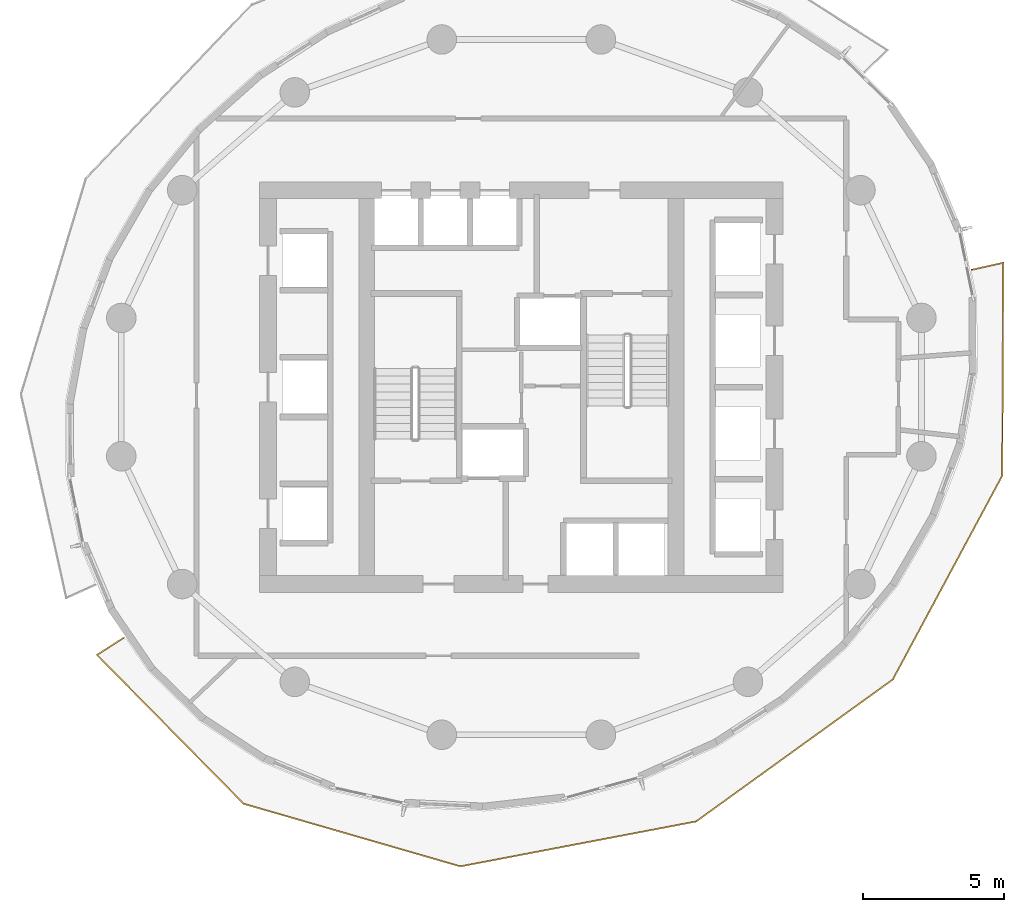
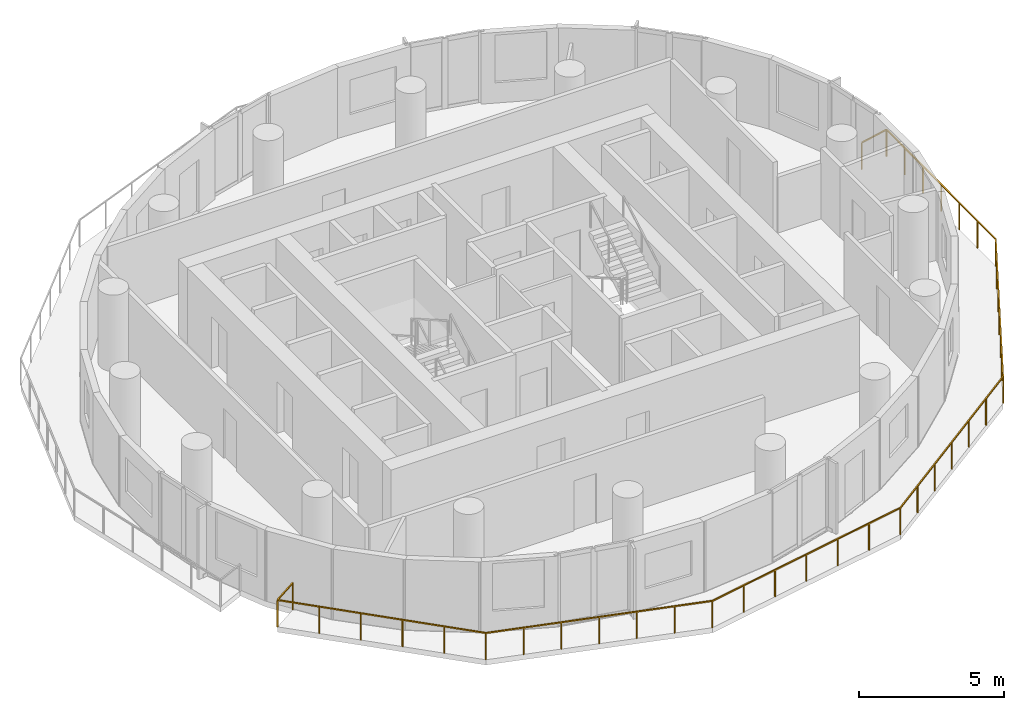
# One storey, part 8 of 11: 1 railing.
"""IFC4 building model written with IfcOpenShell, lengths in metres."""

from ifc_helpers import new_model, si_unit, direction, frame, origin, origin_2d, place, context, subcontext, project, spatial, rectangle, extrude, material, type_object, element, save


model = new_model("IFC4")

# Units and contexts
model_context = context("Model", 3, precision=1e-05, world=origin(), true_north=direction((0.0, 1.0)))
body_context = subcontext(model_context, "Body", "Model", "MODEL_VIEW")
ifc_project = project(units=[si_unit("LENGTHUNIT", "METRE"), si_unit("AREAUNIT", "SQUARE_METRE"), si_unit("VOLUMEUNIT", "CUBIC_METRE"), si_unit("PLANEANGLEUNIT", "RADIAN"), si_unit("MASSUNIT", "GRAM", prefix="KILO")], contexts=[model_context])

# Site, building, storey
site_placement = place(None, origin())
site = spatial("IfcSite", under=ifc_project, at=site_placement, CompositionType="ELEMENT")
building_placement = place(site_placement, origin())
building = spatial("IfcBuilding", under=site, at=building_placement, Name="Veldorim Arch Residences", CompositionType="ELEMENT")
storey_placement = place(building_placement, frame((0.0, 0.0, 116.9599609375)))
storey = spatial("IfcBuildingStorey", under=building, at=storey_placement, Name="L34", CompositionType="ELEMENT", Elevation=116.9599609375)

# Railing
ifc_material = material(Name="Aluminium", Category="aluminium")
railing_type = type_object("IfcRailingType", Name="Balcony & Terrace Laminated Glass Balustrade 1150", PredefinedType="BALUSTRADE", material=ifc_material)
railing_placement = place(storey_placement, frame((17.880126953125, 15.10302734375, 0.0)))
element("IfcRailing", 1, at=railing_placement, inside=storey, type_object=railing_type, Name="L34 crescent balcony safety balustrade B", PredefinedType="BALUSTRADE", context=body_context, shape_type="SweptSolid", body=[
    extrude(rectangle(XDim=0.048095703125, YDim=0.048095703125, at=origin_2d()), frame((0.0, 0.0, 1.1259765625), z_axis=(-0.840923160964, -0.5411545411, 0.0), x_axis=(0.5411545411, -0.840923160964, 0.0)), (0.0, 0.0, 1.0), 1.14990234375),
    extrude(rectangle(XDim=0.048095703125, YDim=0.048095703125, at=origin_2d()), frame((-0.967041015625, -0.622314453125, 1.1259765625), z_axis=(0.701812669739, -0.71236154907, 0.0), x_axis=(0.71236154907, 0.701812669739, 0.0)), (0.0, 0.0, 1.0), 7.42919921875),
    extrude(rectangle(XDim=0.048095703125, YDim=0.048095703125, at=origin_2d()), frame((4.246826171875, -5.91455078125, 1.1259765625), z_axis=(0.960698308483, -0.27759459663, 0.0), x_axis=(0.27759459663, 0.960698308483, 0.0)), (0.0, 0.0, 1.0), 8.02001953125),
    extrude(rectangle(XDim=0.048095703125, YDim=0.048095703125, at=origin_2d()), frame((11.95166015625, -8.140869140625, 1.1259765625), z_axis=(0.982328047369, 0.187167324476, 0.0), x_axis=(-0.187167324476, 0.982328047369, 0.0)), (0.0, 0.0, 1.0), 8.533447265625),
    extrude(rectangle(XDim=0.048095703125, YDim=0.048095703125, at=origin_2d()), frame((20.334228515625, -6.543701171875, 1.1259765625), z_axis=(0.810890469634, 0.585197954761, 0.0), x_axis=(-0.585197954761, 0.810890469634, 0.0)), (0.0, 0.0, 1.0), 8.62255859375),
    extrude(rectangle(XDim=0.048095703125, YDim=0.048095703125, at=origin_2d()), frame((27.326171875, -1.497802734375, 1.1259765625), z_axis=(0.473040409157, 0.881040731921, 0.0), x_axis=(-0.881040731921, 0.473040409157, 0.0)), (0.0, 0.0, 1.0), 8.220703125),
    extrude(rectangle(XDim=0.048095703125, YDim=0.048095703125, at=origin_2d()), frame((31.21484375, 5.744873046875, 1.1259765625), z_axis=(0.004995103651, 0.999987524392, 0.0), x_axis=(-0.999987524392, 0.004995103651, 0.0)), (0.0, 0.0, 1.0), 7.57568359375),
    extrude(rectangle(XDim=0.048095703125, YDim=0.048095703125, at=origin_2d()), frame((31.252685546875, 13.320556640625, 1.1259765625), z_axis=(-0.975886362732, -0.218279195145, 0.0), x_axis=(0.218279195145, -0.975886362732, 0.0)), (0.0, 0.0, 1.0), 1.14990234375),
    extrude(rectangle(XDim=0.0419921875, YDim=0.0419921875, at=origin_2d()), origin(), (0.0, 0.0, 1.0), 1.101806640625),
    extrude(rectangle(XDim=0.0419921875, YDim=0.0419921875, at=origin_2d()), frame((-0.967041015625, -0.622314453125, 0.0)), (0.0, 0.0, 1.0), 1.101806640625),
    extrude(rectangle(XDim=0.0419921875, YDim=0.0419921875, at=origin_2d()), frame((0.07568359375, -1.6806640625, 0.0)), (0.0, 0.0, 1.0), 1.101806640625),
    extrude(rectangle(XDim=0.0419921875, YDim=0.0419921875, at=origin_2d()), frame((1.118408203125, -2.7392578125, 0.0)), (0.0, 0.0, 1.0), 1.101806640625),
    extrude(rectangle(XDim=0.0419921875, YDim=0.0419921875, at=origin_2d()), frame((2.161376953125, -3.797607421875, 0.0)), (0.0, 0.0, 1.0), 1.101806640625),
    extrude(rectangle(XDim=0.0419921875, YDim=0.0419921875, at=origin_2d()), frame((3.2041015625, -4.856201171875, 0.0)), (0.0, 0.0, 1.0), 1.101806640625),
    extrude(rectangle(XDim=0.0419921875, YDim=0.0419921875, at=origin_2d()), frame((4.246826171875, -5.91455078125, 0.0)), (0.0, 0.0, 1.0), 1.101806640625),
    extrude(rectangle(XDim=0.0419921875, YDim=0.0419921875, at=origin_2d()), frame((5.531005859375, -6.28564453125, 0.0)), (0.0, 0.0, 1.0), 1.101806640625),
    extrude(rectangle(XDim=0.0419921875, YDim=0.0419921875, at=origin_2d()), frame((6.815185546875, -6.65673828125, 0.0)), (0.0, 0.0, 1.0), 1.101806640625),
    extrude(rectangle(XDim=0.0419921875, YDim=0.0419921875, at=origin_2d()), frame((8.09912109375, -7.02783203125, 0.0)), (0.0, 0.0, 1.0), 1.101806640625),
    extrude(rectangle(XDim=0.0419921875, YDim=0.0419921875, at=origin_2d()), frame((9.38330078125, -7.398681640625, 0.0)), (0.0, 0.0, 1.0), 1.101806640625),
    extrude(rectangle(XDim=0.0419921875, YDim=0.0419921875, at=origin_2d()), frame((10.66748046875, -7.769775390625, 0.0)), (0.0, 0.0, 1.0), 1.101806640625),
    extrude(rectangle(XDim=0.0419921875, YDim=0.0419921875, at=origin_2d()), frame((11.95166015625, -8.140869140625, 0.0)), (0.0, 0.0, 1.0), 1.101806640625),
    extrude(rectangle(XDim=0.0419921875, YDim=0.0419921875, at=origin_2d()), frame((13.3486328125, -7.874755859375, 0.0)), (0.0, 0.0, 1.0), 1.101806640625),
    extrude(rectangle(XDim=0.0419921875, YDim=0.0419921875, at=origin_2d()), frame((14.745849609375, -7.6083984375, 0.0)), (0.0, 0.0, 1.0), 1.101806640625),
    extrude(rectangle(XDim=0.0419921875, YDim=0.0419921875, at=origin_2d()), frame((16.14306640625, -7.34228515625, 0.0)), (0.0, 0.0, 1.0), 1.101806640625),
    extrude(rectangle(XDim=0.0419921875, YDim=0.0419921875, at=origin_2d()), frame((17.5400390625, -7.076171875, 0.0)), (0.0, 0.0, 1.0), 1.101806640625),
    extrude(rectangle(XDim=0.0419921875, YDim=0.0419921875, at=origin_2d()), frame((18.93701171875, -6.809814453125, 0.0)), (0.0, 0.0, 1.0), 1.101806640625),
    extrude(rectangle(XDim=0.0419921875, YDim=0.0419921875, at=origin_2d()), frame((20.334228515625, -6.543701171875, 0.0)), (0.0, 0.0, 1.0), 1.101806640625),
    extrude(rectangle(XDim=0.0419921875, YDim=0.0419921875, at=origin_2d()), frame((21.49951171875, -5.70263671875, 0.0)), (0.0, 0.0, 1.0), 1.101806640625),
    extrude(rectangle(XDim=0.0419921875, YDim=0.0419921875, at=origin_2d()), frame((22.664794921875, -4.86181640625, 0.0)), (0.0, 0.0, 1.0), 1.101806640625),
    extrude(rectangle(XDim=0.0419921875, YDim=0.0419921875, at=origin_2d()), frame((23.830078125, -4.020751953125, 0.0)), (0.0, 0.0, 1.0), 1.101806640625),
    extrude(rectangle(XDim=0.0419921875, YDim=0.0419921875, at=origin_2d()), frame((24.99560546875, -3.1796875, 0.0)), (0.0, 0.0, 1.0), 1.101806640625),
    extrude(rectangle(XDim=0.0419921875, YDim=0.0419921875, at=origin_2d()), frame((26.160888671875, -2.3388671875, 0.0)), (0.0, 0.0, 1.0), 1.101806640625),
    extrude(rectangle(XDim=0.0419921875, YDim=0.0419921875, at=origin_2d()), frame((27.326171875, -1.497802734375, 0.0)), (0.0, 0.0, 1.0), 1.101806640625),
    extrude(rectangle(XDim=0.0419921875, YDim=0.0419921875, at=origin_2d()), frame((27.974365234375, -0.290771484375, 0.0)), (0.0, 0.0, 1.0), 1.101806640625),
    extrude(rectangle(XDim=0.0419921875, YDim=0.0419921875, at=origin_2d()), frame((28.622314453125, 0.91650390625, 0.0)), (0.0, 0.0, 1.0), 1.101806640625),
    extrude(rectangle(XDim=0.0419921875, YDim=0.0419921875, at=origin_2d()), frame((29.2705078125, 2.12353515625, 0.0)), (0.0, 0.0, 1.0), 1.101806640625),
    extrude(rectangle(XDim=0.0419921875, YDim=0.0419921875, at=origin_2d()), frame((29.918701171875, 3.33056640625, 0.0)), (0.0, 0.0, 1.0), 1.101806640625),
    extrude(rectangle(XDim=0.0419921875, YDim=0.0419921875, at=origin_2d()), frame((30.566650390625, 4.537841796875, 0.0)), (0.0, 0.0, 1.0), 1.101806640625),
    extrude(rectangle(XDim=0.0419921875, YDim=0.0419921875, at=origin_2d()), frame((31.21484375, 5.744873046875, 0.0)), (0.0, 0.0, 1.0), 1.101806640625),
    extrude(rectangle(XDim=0.0419921875, YDim=0.0419921875, at=origin_2d()), frame((31.22119140625, 7.007568359375, 0.0)), (0.0, 0.0, 1.0), 1.101806640625),
    extrude(rectangle(XDim=0.0419921875, YDim=0.0419921875, at=origin_2d()), frame((31.2275390625, 8.27001953125, 0.0)), (0.0, 0.0, 1.0), 1.101806640625),
    extrude(rectangle(XDim=0.0419921875, YDim=0.0419921875, at=origin_2d()), frame((31.23388671875, 9.53271484375, 0.0)), (0.0, 0.0, 1.0), 1.101806640625),
    extrude(rectangle(XDim=0.0419921875, YDim=0.0419921875, at=origin_2d()), frame((31.239990234375, 10.79541015625, 0.0)), (0.0, 0.0, 1.0), 1.101806640625),
    extrude(rectangle(XDim=0.0419921875, YDim=0.0419921875, at=origin_2d()), frame((31.246337890625, 12.057861328125, 0.0)), (0.0, 0.0, 1.0), 1.101806640625),
    extrude(rectangle(XDim=0.0419921875, YDim=0.0419921875, at=origin_2d()), frame((31.252685546875, 13.320556640625, 0.0)), (0.0, 0.0, 1.0), 1.101806640625),
    extrude(rectangle(XDim=0.0419921875, YDim=0.0419921875, at=origin_2d()), frame((30.130615234375, 13.069580078125, 0.0)), (0.0, 0.0, 1.0), 1.101806640625),
])

save(model, "model.ifc")
